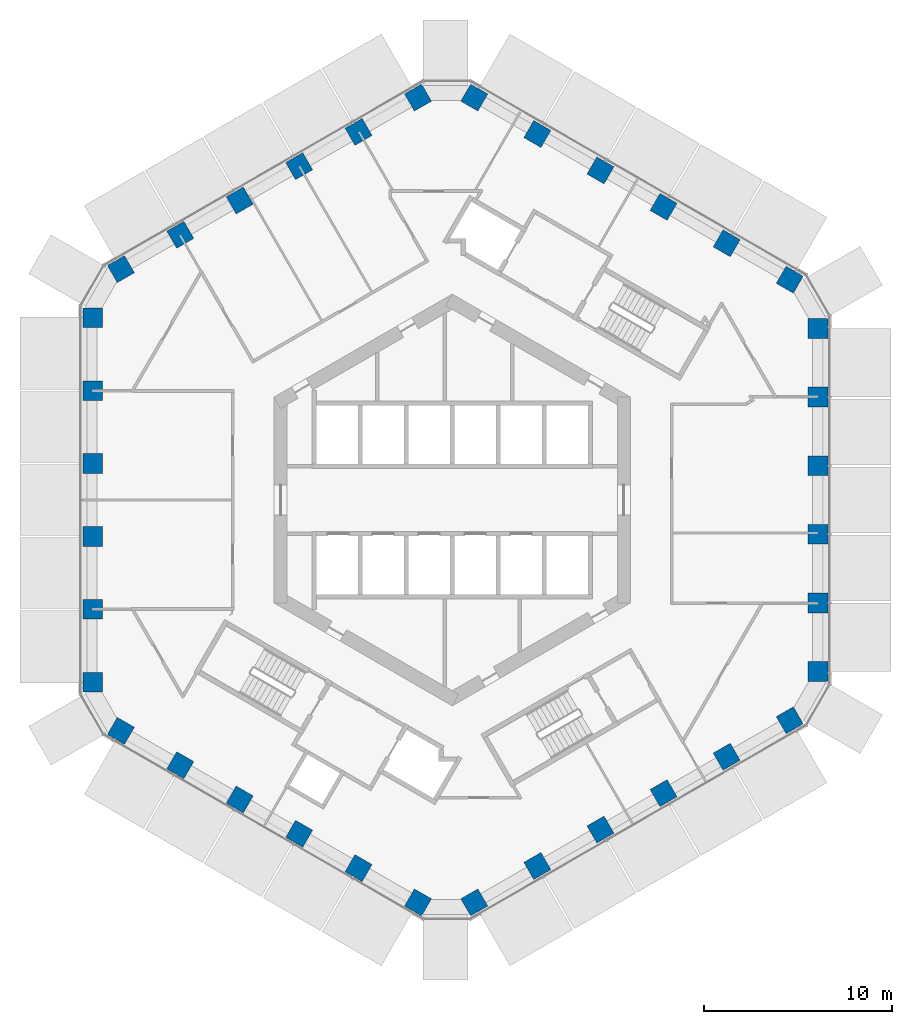
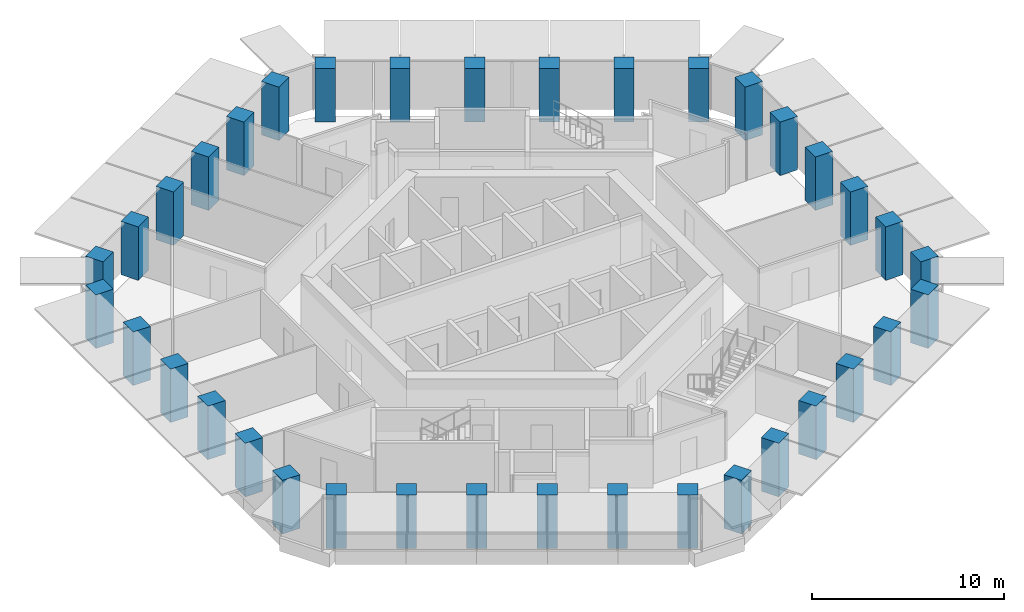
# One storey, part 1 of 19: 36 columns.
"""IFC4 building model written with IfcOpenShell, lengths in metres."""

from ifc_helpers import new_model, si_unit, direction, frame, origin, origin_2d, place, context, subcontext, project, spatial, rectangle, extrude, material, material_profile, profile_set, type_object, element, save


model = new_model("IFC4")

# Units and contexts
model_context = context("Model", 3, precision=1e-05, world=origin(), true_north=direction((0.0, 1.0)))
body_context = subcontext(model_context, "Body", "Model", "MODEL_VIEW")
ifc_project = project(units=[si_unit("LENGTHUNIT", "METRE"), si_unit("AREAUNIT", "SQUARE_METRE"), si_unit("VOLUMEUNIT", "CUBIC_METRE"), si_unit("PLANEANGLEUNIT", "RADIAN"), si_unit("MASSUNIT", "GRAM", prefix="KILO")], contexts=[model_context])

# Site, building, storey
site_placement = place(None, origin())
site = spatial("IfcSite", under=ifc_project, at=site_placement, CompositionType="ELEMENT")
building_placement = place(site_placement, origin())
building = spatial("IfcBuilding", under=site, at=building_placement, Name="Ayvan Gate Tower", CompositionType="ELEMENT")
storey_placement = place(building_placement, frame((0.0, 0.0, 100.10009765625)))
storey = spatial("IfcBuildingStorey", under=building, at=storey_placement, Name="L26", CompositionType="ELEMENT", Elevation=100.10009765625)

# Columns
ifc_material = material(Name="Concrete C60/75", Category="concrete")
ifc_material_profile = material_profile(ifc_material, rectangle(XDim=1.050048828125, YDim=1.050048828125, at=origin_2d()), Name="RC 1050x1050")
ifc_profile_set = profile_set([ifc_material_profile], Name="Concrete C60/75")
column_type = type_object("IfcColumnType", Name="Tube column RC 1050x1050 C60/75", PredefinedType="COLUMN", material=ifc_profile_set)
for number, where, z_axis, x_axis, name in (
    (1, (19.485595703125, -9.14111328125, 0.0), (0.0, 0.0, 1.0), (1.0, 0.0, 0.0), "C-T0-0-L26"),
    (2, (19.485595703125, -5.484619140625, 0.0), (0.0, 0.0, 1.0), (1.0, 0.0, 0.0), "C-T0-1-L26"),
    (3, (19.485595703125, -1.828125, 0.0), (0.0, 0.0, 1.0), (1.0, 0.0, 0.0), "C-T0-2-L26"),
    (4, (19.485595703125, 1.828125, 0.0), (0.0, 0.0, 1.0), (1.0, 0.0, 0.0), "C-T0-3-L26"),
    (5, (19.485595703125, 5.484619140625, 0.0), (0.0, 0.0, 1.0), (1.0, 0.0, 0.0), "C-T0-4-L26"),
    (6, (19.485595703125, 9.14111328125, 0.0), (0.0, 0.0, 1.0), (1.0, 0.0, 0.0), "C-T0-5-L26"),
    (7, (17.985595703125, 11.739013671875, 0.0), (0.0, 0.0, 1.0), (0.5, 0.866025403784, 0.0), "C-T1-0-L26"),
    (8, (14.623291015625, 13.680419921875, 0.0), (0.0, 0.0, 1.0), (0.5, 0.866025403784, 0.0), "C-T1-1-L26"),
    (9, (11.2607421875, 15.62158203125, 0.0), (0.0, 0.0, 1.0), (0.5, 0.866025403784, 0.0), "C-T1-2-L26"),
    (10, (7.8984375, 17.56298828125, 0.0), (0.0, 0.0, 1.0), (0.5, 0.866025403784, 0.0), "C-T1-3-L26"),
    (11, (4.535888671875, 19.504150390625, 0.0), (0.0, 0.0, 1.0), (0.5, 0.866025403784, 0.0), "C-T1-4-L26"),
    (12, (1.173583984375, 21.445556640625, 0.0), (0.0, 0.0, 1.0), (0.5, 0.866025403784, 0.0), "C-T1-5-L26"),
    (13, (-1.826416015625, 21.445556640625, 0.0), (0.0, 0.0, 1.0), (-0.5, 0.866025403784, 0.0), "C-T2-0-L26"),
    (14, (-4.992919921875, 19.617431640625, 0.0), (0.0, 0.0, 1.0), (-0.5, 0.866025403784, 0.0), "C-T2-1-L26"),
    (15, (-8.159423828125, 17.7890625, 0.0), (0.0, 0.0, 1.0), (-0.5, 0.866025403784, 0.0), "C-T2-2-L26"),
    (16, (-11.326171875, 15.9609375, 0.0), (0.0, 0.0, 1.0), (-0.5, 0.866025403784, 0.0), "C-T2-3-L26"),
    (17, (-14.49267578125, 14.132568359375, 0.0), (0.0, 0.0, 1.0), (-0.5, 0.866025403784, 0.0), "C-T2-4-L26"),
    (18, (-17.6591796875, 12.304443359375, 0.0), (0.0, 0.0, 1.0), (-0.5, 0.866025403784, 0.0), "C-T2-5-L26"),
    (19, (-19.1591796875, 9.706298828125, 0.0), (0.0, 0.0, 1.0), (-1.0, 0.0, 0.0), "C-T3-0-L26"),
    (20, (-19.1591796875, 5.82373046875, 0.0), (0.0, 0.0, 1.0), (-1.0, 0.0, 0.0), "C-T3-1-L26"),
    (21, (-19.1591796875, 1.941162109375, 0.0), (0.0, 0.0, 1.0), (-1.0, 0.0, 0.0), "C-T3-2-L26"),
    (22, (-19.1591796875, -1.941162109375, 0.0), (0.0, 0.0, 1.0), (-1.0, 0.0, 0.0), "C-T3-3-L26"),
    (23, (-19.1591796875, -5.82373046875, 0.0), (0.0, 0.0, 1.0), (-1.0, 0.0, 0.0), "C-T3-4-L26"),
    (24, (-19.1591796875, -9.706298828125, 0.0), (0.0, 0.0, 1.0), (-1.0, 0.0, 0.0), "C-T3-5-L26"),
    (25, (-17.6591796875, -12.304443359375, 0.0), (0.0, 0.0, 1.0), (-0.5, -0.866025403784, 0.0), "C-T4-0-L26"),
    (26, (-14.49267578125, -14.132568359375, 0.0), (0.0, 0.0, 1.0), (-0.5, -0.866025403784, 0.0), "C-T4-1-L26"),
    (27, (-11.326171875, -15.9609375, 0.0), (0.0, 0.0, 1.0), (-0.5, -0.866025403784, 0.0), "C-T4-2-L26"),
    (28, (-8.159423828125, -17.7890625, 0.0), (0.0, 0.0, 1.0), (-0.5, -0.866025403784, 0.0), "C-T4-3-L26"),
    (29, (-4.992919921875, -19.617431640625, 0.0), (0.0, 0.0, 1.0), (-0.5, -0.866025403784, 0.0), "C-T4-4-L26"),
    (30, (-1.826416015625, -21.445556640625, 0.0), (0.0, 0.0, 1.0), (-0.5, -0.866025403784, 0.0), "C-T4-5-L26"),
    (31, (1.173583984375, -21.445556640625, 0.0), (0.0, 0.0, 1.0), (0.5, -0.866025403784, 0.0), "C-T5-0-L26"),
    (32, (4.535888671875, -19.504150390625, 0.0), (0.0, 0.0, 1.0), (0.5, -0.866025403784, 0.0), "C-T5-1-L26"),
    (33, (7.8984375, -17.56298828125, 0.0), (0.0, 0.0, 1.0), (0.5, -0.866025403784, 0.0), "C-T5-2-L26"),
    (34, (11.2607421875, -15.62158203125, 0.0), (0.0, 0.0, 1.0), (0.5, -0.866025403784, 0.0), "C-T5-3-L26"),
    (35, (14.623291015625, -13.680419921875, 0.0), (0.0, 0.0, 1.0), (0.5, -0.866025403784, 0.0), "C-T5-4-L26"),
    (36, (17.985595703125, -11.739013671875, 0.0), (0.0, 0.0, 1.0), (0.5, -0.866025403784, 0.0), "C-T5-5-L26"),
):
    element("IfcColumn", number, at=place(storey_placement, frame(where, z_axis=z_axis, x_axis=x_axis)), inside=storey, type_object=column_type, Name=name, PredefinedType="COLUMN", context=body_context, shape_type="SweptSolid", body=[
        extrude(rectangle(XDim=1.050048828125, YDim=1.050048828125, at=origin_2d()), origin(), (0.0, 0.0, 1.0), 3.39990234375),
    ])

save(model, "model.ifc")
